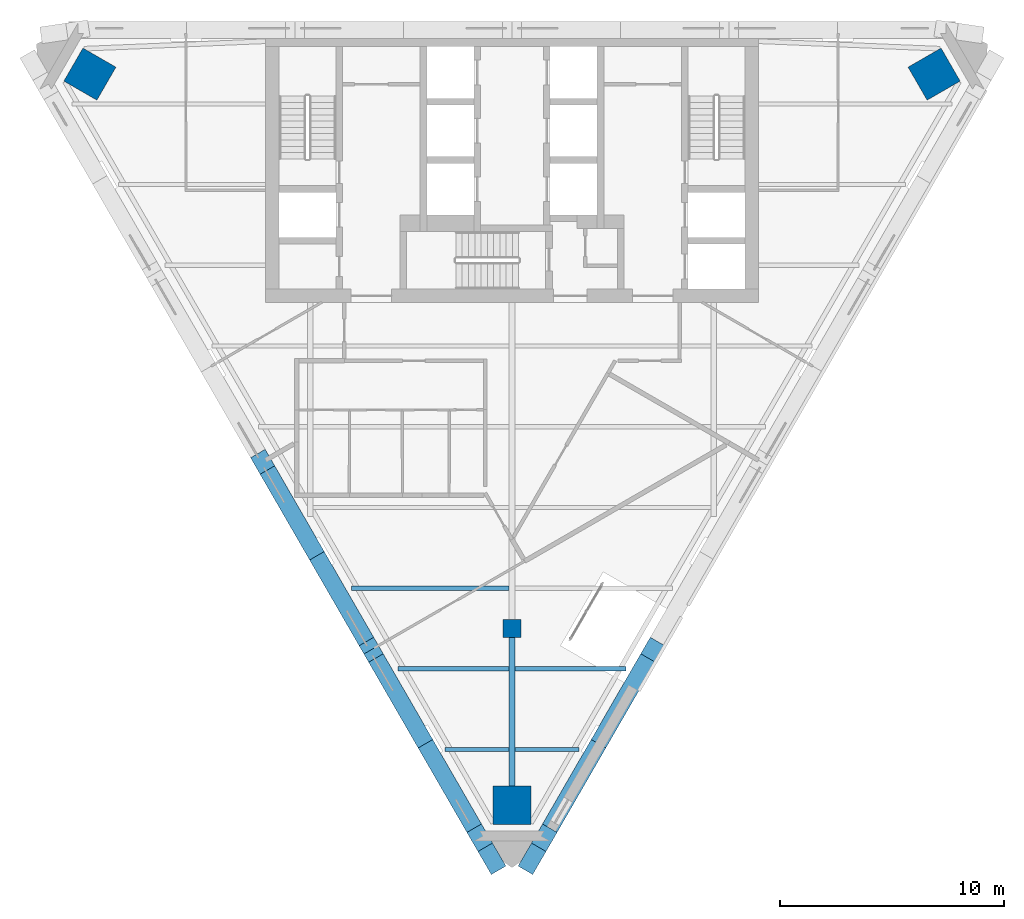
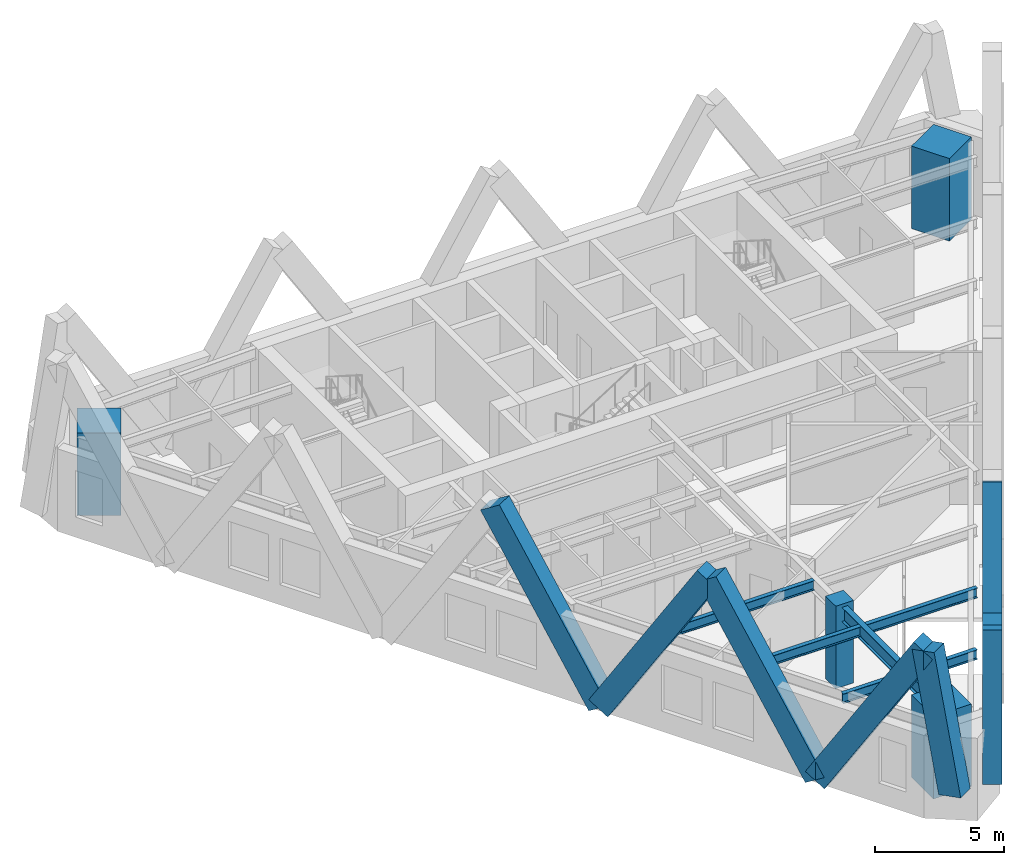
# One storey, part 1 of 10: 8 members, 6 beams, 4 columns.
"""IFC4 building model written with IfcOpenShell, lengths in metres."""

from ifc_helpers import new_model, si_unit, direction, frame, origin, origin_2d, place, context, subcontext, project, spatial, rectangle, i_section, extrude, material, material_profile, profile_set, type_object, element, save


model = new_model("IFC4")

# Units and contexts
model_context = context("Model", 3, precision=1e-05, world=origin(), true_north=direction((0.0, 1.0)))
body_context = subcontext(model_context, "Body", "Model", "MODEL_VIEW")
ifc_project = project(units=[si_unit("LENGTHUNIT", "METRE"), si_unit("AREAUNIT", "SQUARE_METRE"), si_unit("VOLUMEUNIT", "CUBIC_METRE"), si_unit("PLANEANGLEUNIT", "RADIAN"), si_unit("MASSUNIT", "GRAM", prefix="KILO")], contexts=[model_context])

# Site, building, storey
site_placement = place(None, origin())
site = spatial("IfcSite", under=ifc_project, at=site_placement, CompositionType="ELEMENT")
building_placement = place(site_placement, origin())
building = spatial("IfcBuilding", under=site, at=building_placement, Name="Aloe Facet Convention Tower", CompositionType="ELEMENT")
storey_placement = place(building_placement, frame((0.0, 0.0, 219.199951171875)))
storey = spatial("IfcBuildingStorey", under=building, at=storey_placement, Name="L55", CompositionType="ELEMENT", Elevation=219.199951171875)

# Columns
ifc_material_1 = material(Name="Concrete C70/85", Category="concrete")
ifc_material_profile_1 = material_profile(ifc_material_1, rectangle(XDim=0.800048828125, YDim=0.800048828125, at=origin_2d()), Name="SF-GC-Z4")
ifc_profile_set_1 = profile_set([ifc_material_profile_1], Name="Concrete C70/85")
column_type_1 = type_object("IfcColumnType", Name="SF-GC-Z4", PredefinedType="COLUMN", material=ifc_profile_set_1)
column_placement = place(storey_placement, frame((80.0, 108.0, 0.0), z_axis=(0.0, 0.0, 1.0), x_axis=(1.0, 0.0, 0.0)))
element("IfcColumn", 1, at=column_placement, inside=storey, type_object=column_type_1, Name="Gravity column GC-Z4-9D", PredefinedType="COLUMN", context=body_context, shape_type="SweptSolid", body=[
    extrude(rectangle(XDim=0.800048828125, YDim=0.800048828125, at=origin_2d()), origin(), (0.0, 0.0, 1.0), 3.900146484375),
])
ifc_material_2 = material(Name="Concrete C80/95", Category="concrete")
ifc_material_profile_2 = material_profile(ifc_material_2, rectangle(XDim=1.699951171875, YDim=1.699951171875, at=origin_2d()), Name="STW-MC-Z4")
ifc_profile_set_2 = profile_set([ifc_material_profile_2], Name="Concrete C80/95")
column_type_2 = type_object("IfcColumnType", Name="STW-MC-Z4", PredefinedType="COLUMN", material=ifc_profile_set_2)
for number, where, z_axis, x_axis, name in (
    (2, (98.828857421875, 132.727783203125, 0.0), (0.0, 0.0, 1.0), (-0.5, 0.866025403784, 0.0), "Mega-column MC-NE-L55"),
    (3, (61.171142578125, 132.727783203125, 0.0), (0.0, 0.0, 1.0), (-0.5, -0.866025403784, 0.0), "Mega-column MC-NW-L55"),
    (4, (80.0, 100.114990234375, 0.0), (0.0, 0.0, 1.0), (1.0, 0.0, 0.0), "Mega-column MC-S-L55"),
):
    element("IfcColumn", number, at=place(storey_placement, frame(where, z_axis=z_axis, x_axis=x_axis)), inside=storey, type_object=column_type_2, Name=name, PredefinedType="COLUMN", context=body_context, shape_type="SweptSolid", body=[
        extrude(rectangle(XDim=1.699951171875, YDim=1.699951171875, at=origin_2d()), origin(), (0.0, 0.0, 1.0), 3.900146484375),
    ])

# Beams
ifc_material_3 = material(Name="Steel S355", Category="steel")
ifc_material_profile_3 = material_profile(ifc_material_3, i_section(OverallWidth=0.19140625, OverallDepth=0.4599609375, WebThickness=0.010009765625, FlangeThickness=0.01611328125, FilletRadius=0.01025390625, at=origin_2d()), Name="UB 457x191x82")
ifc_profile_set_3 = profile_set([ifc_material_profile_3], Name="Steel S355")
beam_type_1 = type_object("IfcBeamType", Name="SF-B-UB457x191x82", PredefinedType="BEAM", material=ifc_profile_set_3)
beam_1_placement = place(storey_placement, frame((72.844482421875, 109.800048828125, 3.52001953125), z_axis=(1.0, 0.0, 0.0), x_axis=(0.0, 1.0, 0.0)))
element("IfcBeam", 5, at=beam_1_placement, inside=storey, type_object=beam_type_1, Name="Floor beam FB-Z4B-017", PredefinedType="BEAM", context=body_context, shape_type="SweptSolid", body=[
    extrude(i_section(OverallWidth=0.19140625, OverallDepth=0.4599609375, WebThickness=0.010009765625, FlangeThickness=0.01611328125, FilletRadius=0.01025390625, at=origin_2d()), origin(), (0.0, 0.0, 1.0), 7.029052734375),
])
beam_2_placement = place(storey_placement, frame((74.923095703125, 106.199951171875, 3.52001953125), z_axis=(1.0, 0.0, 0.0), x_axis=(0.0, 1.0, 0.0)))
element("IfcBeam", 6, at=beam_2_placement, inside=storey, type_object=beam_type_1, Name="Floor beam FB-Z4B-018", PredefinedType="BEAM", context=body_context, shape_type="SweptSolid", body=[
    extrude(i_section(OverallWidth=0.19140625, OverallDepth=0.4599609375, WebThickness=0.010009765625, FlangeThickness=0.01611328125, FilletRadius=0.01025390625, at=origin_2d()), origin(), (0.0, 0.0, 1.0), 4.950439453125),
])
for number, where, z_axis, x_axis, name in (
    (7, (77.00146484375, 102.60009765625, 3.52001953125), (1.0, 0.0, 0.0), (0.0, 1.0, 0.0), "Floor beam FB-Z4B-019"),
    (8, (80.12646484375, 102.60009765625, 3.52001953125), (1.0, 0.0, 0.0), (0.0, 1.0, 0.0), "Floor beam FB-Z4B-020"),
):
    element("IfcBeam", number, at=place(storey_placement, frame(where, z_axis=z_axis, x_axis=x_axis)), inside=storey, type_object=beam_type_1, Name=name, PredefinedType="BEAM", context=body_context, shape_type="SweptSolid", body=[
        extrude(i_section(OverallWidth=0.19140625, OverallDepth=0.4599609375, WebThickness=0.010009765625, FlangeThickness=0.01611328125, FilletRadius=0.01025390625, at=origin_2d()), origin(), (0.0, 0.0, 1.0), 2.8720703125),
    ])
beam_3_placement = place(storey_placement, frame((80.12646484375, 106.199951171875, 3.52001953125), z_axis=(1.0, 0.0, 0.0), x_axis=(0.0, 1.0, 0.0)))
element("IfcBeam", 9, at=beam_3_placement, inside=storey, type_object=beam_type_1, Name="Floor beam FB-Z4B-021", PredefinedType="BEAM", context=body_context, shape_type="SweptSolid", body=[
    extrude(i_section(OverallWidth=0.19140625, OverallDepth=0.4599609375, WebThickness=0.010009765625, FlangeThickness=0.01611328125, FilletRadius=0.01025390625, at=origin_2d()), origin(), (0.0, 0.0, 1.0), 4.950439453125),
])
ifc_material_4 = material(Name="Steel S355", Category="steel")
ifc_material_profile_4 = material_profile(ifc_material_4, i_section(OverallWidth=0.2529296875, OverallDepth=0.677978515625, WebThickness=0.01171875, FlangeThickness=0.01611328125, FilletRadius=0.01513671875, at=origin_2d()), Name="UB 686x254x125")
ifc_profile_set_4 = profile_set([ifc_material_profile_4], Name="Steel S355")
beam_type_2 = type_object("IfcBeamType", Name="SF-B-UB686x254x125", PredefinedType="BEAM", material=ifc_profile_set_4)
beam_4_placement = place(storey_placement, frame((80.0, 107.60009765625, 3.4111328125), z_axis=(0.0, -1.0, 0.0), x_axis=(1.0, 0.0, 0.0)))
element("IfcBeam", 10, at=beam_4_placement, inside=storey, type_object=beam_type_2, Name="Floor beam FB-Z4B-006", PredefinedType="BEAM", context=body_context, shape_type="SweptSolid", body=[
    extrude(i_section(OverallWidth=0.2529296875, OverallDepth=0.677978515625, WebThickness=0.01171875, FlangeThickness=0.01611328125, FilletRadius=0.01513671875, at=origin_2d()), origin(), (0.0, 0.0, 1.0), 8.165771484375),
])

# Members
ifc_material_5 = material(Name="Concrete C60/75, bronze oxide finish", Category="concrete")
ifc_material_profile_5 = material_profile(ifc_material_5, rectangle(XDim=0.75, YDim=1.0, at=origin_2d()), Name="STW-LM")
ifc_profile_set_5 = profile_set([ifc_material_profile_5], Name="Concrete C60/75, bronze oxide finish")
member_type = type_object("IfcMemberType", Name="STW-LM", PredefinedType="BRACE", material=ifc_profile_set_5)
for number, where, z_axis, x_axis, name in (
    (11, (71.298095703125, 111.24267578125, 0.0), (-0.263678367654, 0.456696783431, 0.849648025029), (-0.866021826347, -0.500006196252, 0.0), "Lattice member LM-Z4-F2-R5-05"),
    (12, (71.298095703125, 111.24267578125, 0.0), (0.263678367654, -0.456696783431, 0.849648025029), (0.866021826347, 0.500006196252, 0.0), "Lattice member LM-Z4-F2-R5-06"),
):
    element("IfcMember", number, at=place(storey_placement, frame(where, z_axis=z_axis, x_axis=x_axis)), inside=storey, type_object=member_type, Name=name, PredefinedType="BRACE", context=body_context, shape_type="SweptSolid", body=[
        extrude(rectangle(XDim=0.75, YDim=1.0, at=origin_2d()), origin(), (0.0, 0.0, 1.0), 9.180419921875),
    ])
member_1_placement = place(storey_placement, frame((76.13916015625, 102.857666015625, 0.0), z_axis=(-0.263656824656, 0.456678938167, 0.849664302091), x_axis=(-0.8660310559, -0.499990210121, 0.0)))
element("IfcMember", 13, at=member_1_placement, inside=storey, type_object=member_type, Name="Lattice member LM-Z4-F2-R5-07", PredefinedType="BRACE", context=body_context, shape_type="SweptSolid", body=[
    extrude(rectangle(XDim=0.75, YDim=1.0, at=origin_2d()), origin(), (0.0, 0.0, 1.0), 9.18017578125),
])
for number, where, z_axis, x_axis, name in (
    (14, (76.13916015625, 102.857666015625, 0.0), (0.263678367654, -0.456696783431, 0.849648025029), (0.866021826347, 0.500006196252, 0.0), "Lattice member LM-Z4-F2-R5-08"),
    (15, (83.86083984375, 102.857666015625, 0.0), (-0.263678367654, -0.456696783431, 0.849648025029), (0.866021826347, -0.500006196252, 0.0), "Lattice member LM-Z4-F3-R5-01"),
):
    element("IfcMember", number, at=place(storey_placement, frame(where, z_axis=z_axis, x_axis=x_axis)), inside=storey, type_object=member_type, Name=name, PredefinedType="BRACE", context=body_context, shape_type="SweptSolid", body=[
        extrude(rectangle(XDim=0.75, YDim=1.0, at=origin_2d()), origin(), (0.0, 0.0, 1.0), 9.180419921875),
    ])
member_2_placement = place(storey_placement, frame((83.86083984375, 102.857666015625, 0.0), z_axis=(0.263656824656, 0.456678938167, 0.849664302091), x_axis=(-0.8660310559, 0.499990210121, 0.0)))
element("IfcMember", 16, at=member_2_placement, inside=storey, type_object=member_type, Name="Lattice member LM-Z4-F3-R5-02", PredefinedType="BRACE", context=body_context, shape_type="SweptSolid", body=[
    extrude(rectangle(XDim=0.75, YDim=1.0, at=origin_2d()), origin(), (0.0, 0.0, 1.0), 9.18017578125),
])
for number, where, z_axis, x_axis, name in (
    (17, (79.156005859375, 97.638427734375, 1.341796875), (-0.090793430759, 0.156341677454, 0.983521139997), (-0.864754376311, -0.502195050405, 0.0), "Lattice member LM-Z4-F5-R4-05"),
    (18, (80.843994140625, 97.638427734375, 1.341796875), (0.090793430759, 0.156341677454, 0.983521139997), (-0.864754376311, 0.502195050405, 0.0), "Lattice member LM-Z4-F5-R4-06"),
):
    element("IfcMember", number, at=place(storey_placement, frame(where, z_axis=z_axis, x_axis=x_axis)), inside=storey, type_object=member_type, Name=name, PredefinedType="BRACE", context=body_context, shape_type="SweptSolid", body=[
        extrude(rectangle(XDim=0.75, YDim=1.0, at=origin_2d()), origin(), (0.0, 0.0, 1.0), 6.56640625),
    ])

save(model, "model.ifc")
